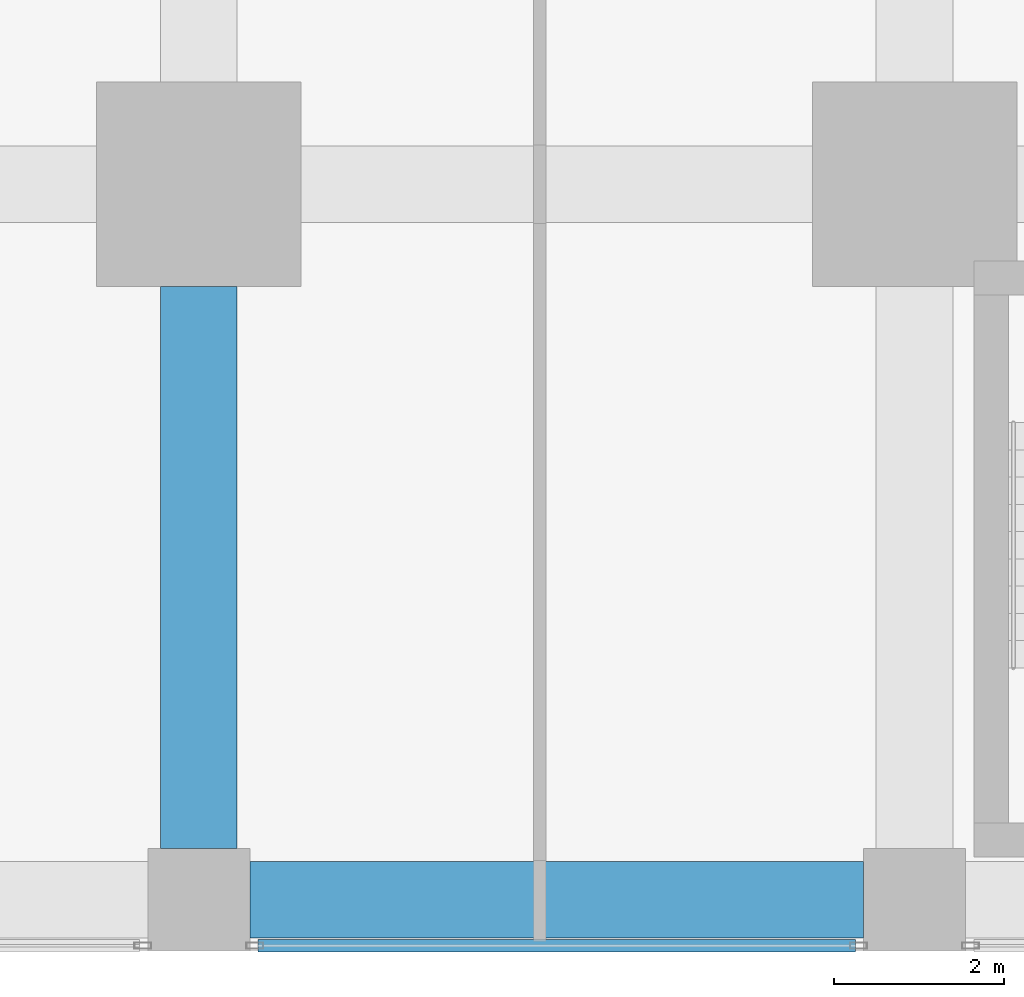
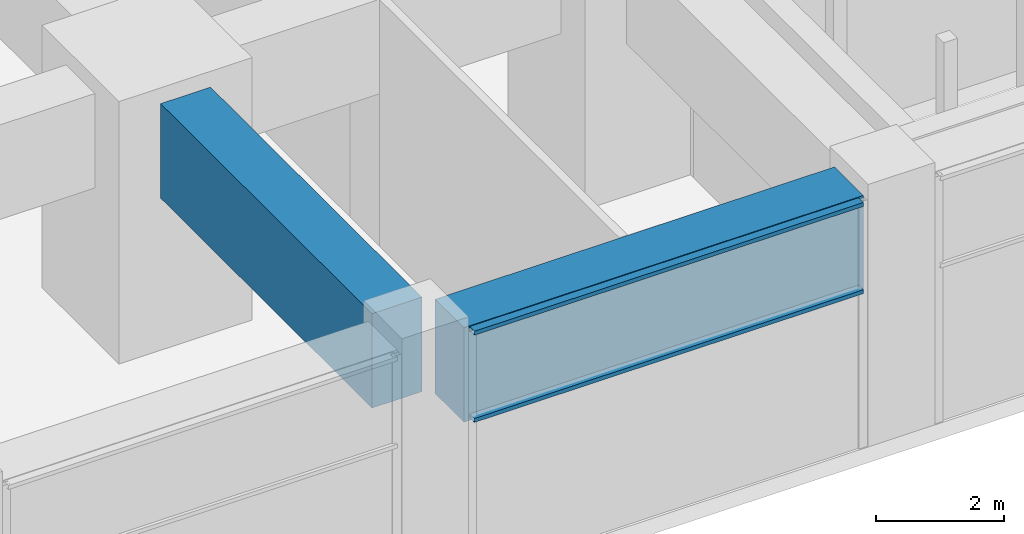
# One storey, part 4 of 49: 2 beams, 2 members, 1 element without a shape of its own.
"""IFC4 building model written with IfcOpenShell, lengths in metres."""

from ifc_helpers import new_model, si_unit, direction, frame, origin, origin_2d, place, context, subcontext, project, spatial, rectangle, hollow_rectangle, extrude, material, material_profile, profile_set, type_object, element, aggregate, save


model = new_model("IFC4")

# Units and contexts
model_context = context("Model", 3, precision=1e-05, world=origin(), true_north=direction((0.0, 1.0)))
body_context = subcontext(model_context, "Body", "Model", "MODEL_VIEW")
ifc_project = project(units=[si_unit("LENGTHUNIT", "METRE"), si_unit("AREAUNIT", "SQUARE_METRE"), si_unit("VOLUMEUNIT", "CUBIC_METRE"), si_unit("PLANEANGLEUNIT", "RADIAN"), si_unit("MASSUNIT", "GRAM", prefix="KILO")], contexts=[model_context])

# Site, building, storey
site_placement = place(None, origin())
site = spatial("IfcSite", under=ifc_project, at=site_placement, CompositionType="ELEMENT")
building_placement = place(site_placement, origin())
building = spatial("IfcBuilding", under=site, at=building_placement, Name="Rekha Terrace Tower", CompositionType="ELEMENT")
storey_placement = place(building_placement, frame((0.0, 0.0, 10.39990234375)))
storey = spatial("IfcBuildingStorey", under=building, at=storey_placement, Name="L02", CompositionType="ELEMENT", Elevation=10.39990234375)

# Curtain wall, members
ifc_material_1 = material(Name="Aluminium framing", Category="aluminium")
curtain_wall_type = type_object("IfcCurtainWallType", Name="CW4 podium shopfront glazing", PredefinedType="USERDEFINED", material=ifc_material_1)
curtain_wall_placement = place(storey_placement, origin())
curtain_wall = element("IfcCurtainWall", 1, at=curtain_wall_placement, inside=storey, type_object=curtain_wall_type, Name="CW4 shopfront curtain wall", ObjectType="SHOPFRONT CURTAIN WALL", PredefinedType="USERDEFINED")
ifc_material_2 = material(Name="Aluminium transom section", Category="aluminium")
ifc_material_profile_1 = material_profile(ifc_material_2, hollow_rectangle(XDim=0.14990234375, YDim=0.074951171875, WallThickness=0.0029296875, at=origin_2d()), Name="AL RHS 150x75")
ifc_profile_set_1 = profile_set([ifc_material_profile_1], Name="Aluminium transom section")
member_type = type_object("IfcMemberType", Name="CW4 transom RHS 75 x 150", PredefinedType="USERDEFINED", material=ifc_profile_set_1)
member_1_placement = place(storey_placement, frame((9.094970703125, -0.5400390625, 3.0), z_axis=(1.0, 0.0, 0.0), x_axis=(0.0, 1.0, 0.0)))
member_1 = element("IfcMember", 2, at=member_1_placement, type_object=member_type, Name="CW4 transom 1.2", ObjectType="TRANSOM", PredefinedType="USERDEFINED", context=body_context, shape_type="SweptSolid", body=[
    extrude(hollow_rectangle(XDim=0.14990234375, YDim=0.074951171875, WallThickness=0.0029296875, at=origin_2d()), origin(), (0.0, 0.0, 1.0), 7.010009765625),
])
member_2_placement = place(storey_placement, frame((9.094970703125, -0.5400390625, 4.66259765625), z_axis=(1.0, 0.0, 0.0), x_axis=(0.0, 1.0, 0.0)))
member_2 = element("IfcMember", 3, at=member_2_placement, type_object=member_type, Name="CW4 transom 1.3", ObjectType="TRANSOM", PredefinedType="USERDEFINED", context=body_context, shape_type="SweptSolid", body=[
    extrude(hollow_rectangle(XDim=0.14990234375, YDim=0.074951171875, WallThickness=0.0029296875, at=origin_2d()), origin(), (0.0, 0.0, 1.0), 7.010009765625),
])
aggregate(curtain_wall, [member_1, member_2])

# Beams
ifc_material_3 = material(Name="Concrete M60", Category="concrete")
ifc_material_profile_2 = material_profile(ifc_material_3, rectangle(XDim=0.89990234375, YDim=1.800048828125, at=origin_2d()), Name="RC 900x1800")
ifc_profile_set_2 = profile_set([ifc_material_profile_2], Name="Concrete M60")
beam_type = type_object("IfcBeamType", Name="G1 900x1800 podium floor beam", PredefinedType="BEAM", material=ifc_profile_set_2)
beam_1_placement = place(storey_placement, frame((9.0, 0.0, 3.800048828125), z_axis=(1.0, 0.0, 0.0), x_axis=(0.0, 1.0, 0.0)))
element("IfcBeam", 4, at=beam_1_placement, inside=storey, type_object=beam_type, Name="Beam G1 2A-3A under L03", PredefinedType="BEAM", context=body_context, shape_type="SweptSolid", body=[
    extrude(rectangle(XDim=0.89990234375, YDim=1.800048828125, at=origin_2d()), origin(), (0.0, 0.0, 1.0), 7.199951171875),
])
beam_2_placement = place(storey_placement, frame((8.39990234375, 0.60009765625, 3.800048828125), z_axis=(0.0, 1.0, 0.0), x_axis=(-1.0, 0.0, 0.0)))
element("IfcBeam", 5, at=beam_2_placement, inside=storey, type_object=beam_type, Name="Beam G1 2A-2B under L03", PredefinedType="BEAM", context=body_context, shape_type="SweptSolid", body=[
    extrude(rectangle(XDim=0.89990234375, YDim=1.800048828125, at=origin_2d()), origin(), (0.0, 0.0, 1.0), 6.599853515625),
])

save(model, "model.ifc")
